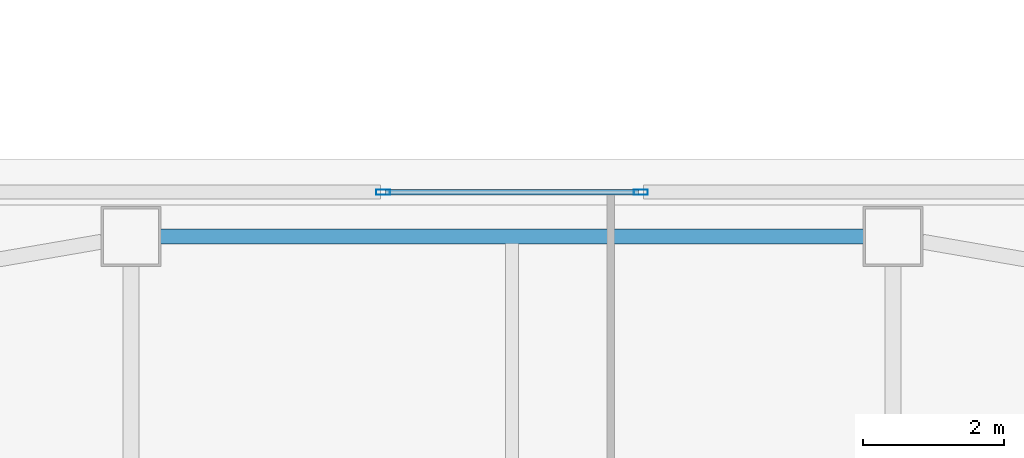
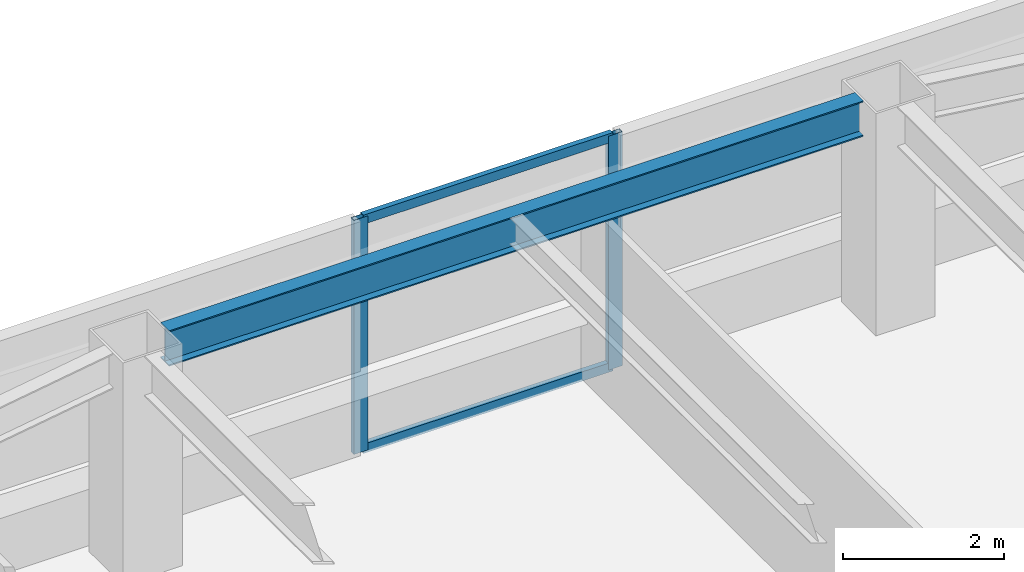
# One storey, part 16 of 48: 4 members, 1 beam, 1 element without a shape of its own.
"""IFC4 building model written with IfcOpenShell, lengths in metres."""

from ifc_helpers import new_model, si_unit, direction, frame, origin, origin_2d, place, context, subcontext, project, spatial, hollow_rectangle, i_section, extrude, material, material_profile, profile_set, type_object, element, aggregate, save


model = new_model("IFC4")

# Units and contexts
model_context = context("Model", 3, precision=1e-05, world=origin(), true_north=direction((0.0, 1.0)))
body_context = subcontext(model_context, "Body", "Model", "MODEL_VIEW")
ifc_project = project(units=[si_unit("LENGTHUNIT", "METRE"), si_unit("AREAUNIT", "SQUARE_METRE"), si_unit("VOLUMEUNIT", "CUBIC_METRE"), si_unit("PLANEANGLEUNIT", "RADIAN"), si_unit("MASSUNIT", "GRAM", prefix="KILO")], contexts=[model_context])

# Site, building, storey
site_placement = place(None, origin())
site = spatial("IfcSite", under=ifc_project, at=site_placement, CompositionType="ELEMENT")
building_placement = place(site_placement, origin())
building = spatial("IfcBuilding", under=site, at=building_placement, Name="Tashvorn Skyway Center", CompositionType="ELEMENT")
storey_placement = place(building_placement, frame((0.0, 0.0, 125.050048828125)))
storey = spatial("IfcBuildingStorey", under=building, at=storey_placement, Name="L33", CompositionType="ELEMENT", Elevation=125.050048828125)

# Beam
ifc_material_1 = material(Name="Steel ASTM A992 Grade 50", Category="steel")
ifc_material_profile_1 = material_profile(ifc_material_1, i_section(OverallWidth=0.2109375, OverallDepth=0.5390625, WebThickness=0.01171875, FlangeThickness=0.018798828125, at=origin_2d()), Name="W21X73")
ifc_profile_set_1 = profile_set([ifc_material_profile_1], Name="Steel ASTM A992 Grade 50")
beam_type = type_object("IfcBeamType", Name="BM-SPANDREL-W21X73", PredefinedType="SPANDREL", material=ifc_profile_set_1)
beam_placement = place(storey_placement, frame((46.97998046875, 50.64990234375, 3.100341796875), z_axis=(-1.0, 0.0, 0.0), x_axis=(0.0, -1.0, 0.0)))
element("IfcBeam", 1, at=beam_placement, inside=storey, type_object=beam_type, Name="Tower 1 L33 Spandrel Beam 08", PredefinedType="SPANDREL", context=body_context, shape_type="SweptSolid", body=[
    extrude(i_section(OverallWidth=0.2109375, OverallDepth=0.5390625, WebThickness=0.01171875, FlangeThickness=0.018798828125, at=origin_2d()), origin(), (0.0, 0.0, 1.0), 9.9599609375),
])

# Curtain wall, members
ifc_material_2 = material(Name="Thermally broken bronze-anodized aluminium 6063-T6", Category="aluminium")
curtain_wall_type = type_object("IfcCurtainWallType", Name="CW-CW-Z3", PredefinedType="NOTDEFINED", material=ifc_material_2)
curtain_wall_placement = place(storey_placement, origin())
curtain_wall = element("IfcCurtainWall", 2, at=curtain_wall_placement, inside=storey, type_object=curtain_wall_type, Name="Tower 1 L33 North Unitised Curtain Wall Glazing Group 2", PredefinedType="NOTDEFINED")
ifc_material_profile_2 = material_profile(ifc_material_2, hollow_rectangle(XDim=0.074951171875, YDim=0.199951171875, WallThickness=0.00439453125, at=origin_2d()), Name="ALU-MULL-75x200")
ifc_profile_set_2 = profile_set([ifc_material_profile_2], Name="Thermally broken bronze-anodized aluminium 6063-T6")
member_type_1 = type_object("IfcMemberType", Name="CWM-CW-Z3", PredefinedType="MULLION", material=ifc_profile_set_2)
member_1_placement = place(storey_placement, frame((40.173095703125, 51.280029296875, 0.0), z_axis=(0.0, 0.0, 1.0), x_axis=(0.0, 1.0, 0.0)))
member_1 = element("IfcMember", 3, at=member_1_placement, type_object=member_type_1, Name="CW-Z3 mullion 1", PredefinedType="MULLION", context=body_context, shape_type="SweptSolid", body=[
    extrude(hollow_rectangle(XDim=0.074951171875, YDim=0.199951171875, WallThickness=0.00439453125, at=origin_2d()), origin(), (0.0, 0.0, 1.0), 3.550048828125),
])
member_2_placement = place(storey_placement, frame((43.826904296875, 51.280029296875, 0.0), z_axis=(0.0, 0.0, 1.0), x_axis=(0.0, 1.0, 0.0)))
member_2 = element("IfcMember", 4, at=member_2_placement, type_object=member_type_1, Name="CW-Z3 mullion 2", PredefinedType="MULLION", context=body_context, shape_type="SweptSolid", body=[
    extrude(hollow_rectangle(XDim=0.074951171875, YDim=0.199951171875, WallThickness=0.00439453125, at=origin_2d()), origin(), (0.0, 0.0, 1.0), 3.550048828125),
])
ifc_material_profile_3 = material_profile(ifc_material_2, hollow_rectangle(XDim=0.074951171875, YDim=0.139892578125, WallThickness=0.004150390625, at=origin_2d()), Name="ALU-TRAN-75x140")
ifc_profile_set_3 = profile_set([ifc_material_profile_3], Name="Thermally broken bronze-anodized aluminium 6063-T6")
member_type_2 = type_object("IfcMemberType", Name="CWT-CW-Z3", PredefinedType="USERDEFINED", material=ifc_profile_set_3)
member_3_placement = place(storey_placement, frame((40.210693359375, 51.280029296875, 0.037353515625), z_axis=(1.0, 0.0, 0.0), x_axis=(0.0, 1.0, 0.0)))
member_3 = element("IfcMember", 5, at=member_3_placement, type_object=member_type_2, Name="CW-Z3 transom 1.1", ObjectType="TRANSOM", PredefinedType="USERDEFINED", context=body_context, shape_type="SweptSolid", body=[
    extrude(hollow_rectangle(XDim=0.074951171875, YDim=0.139892578125, WallThickness=0.004150390625, at=origin_2d()), origin(), (0.0, 0.0, 1.0), 3.57861328125),
])
member_4_placement = place(storey_placement, frame((40.210693359375, 51.280029296875, 3.512451171875), z_axis=(1.0, 0.0, 0.0), x_axis=(0.0, 1.0, 0.0)))
member_4 = element("IfcMember", 6, at=member_4_placement, type_object=member_type_2, Name="CW-Z3 transom 1.2", ObjectType="TRANSOM", PredefinedType="USERDEFINED", context=body_context, shape_type="SweptSolid", body=[
    extrude(hollow_rectangle(XDim=0.074951171875, YDim=0.139892578125, WallThickness=0.004150390625, at=origin_2d()), origin(), (0.0, 0.0, 1.0), 3.57861328125),
])
aggregate(curtain_wall, [member_1, member_2, member_3, member_4])

save(model, "model.ifc")
